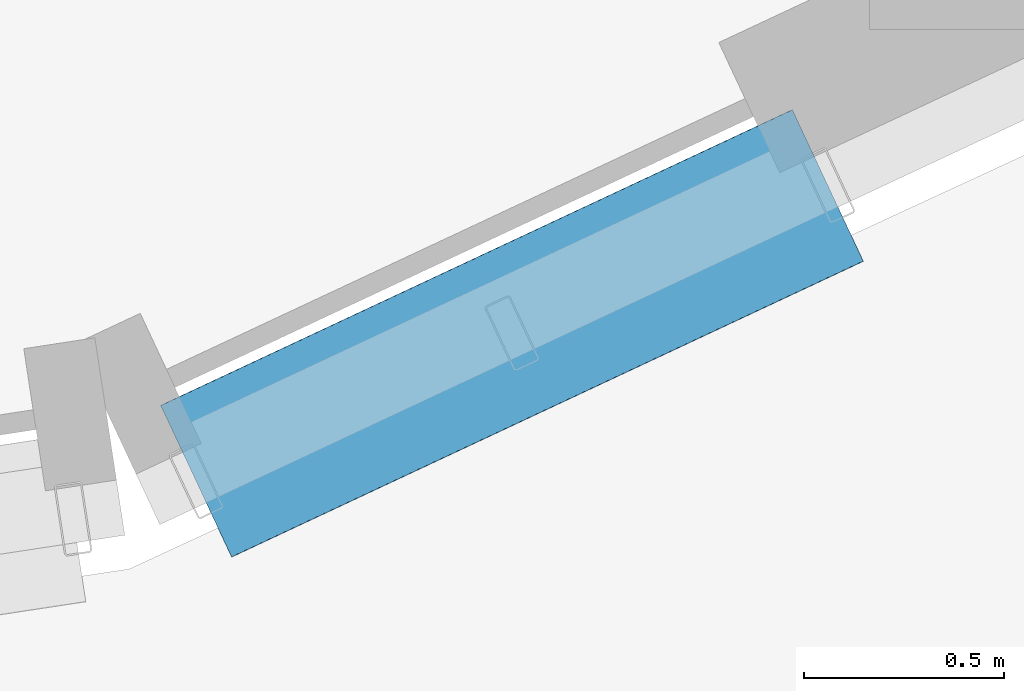
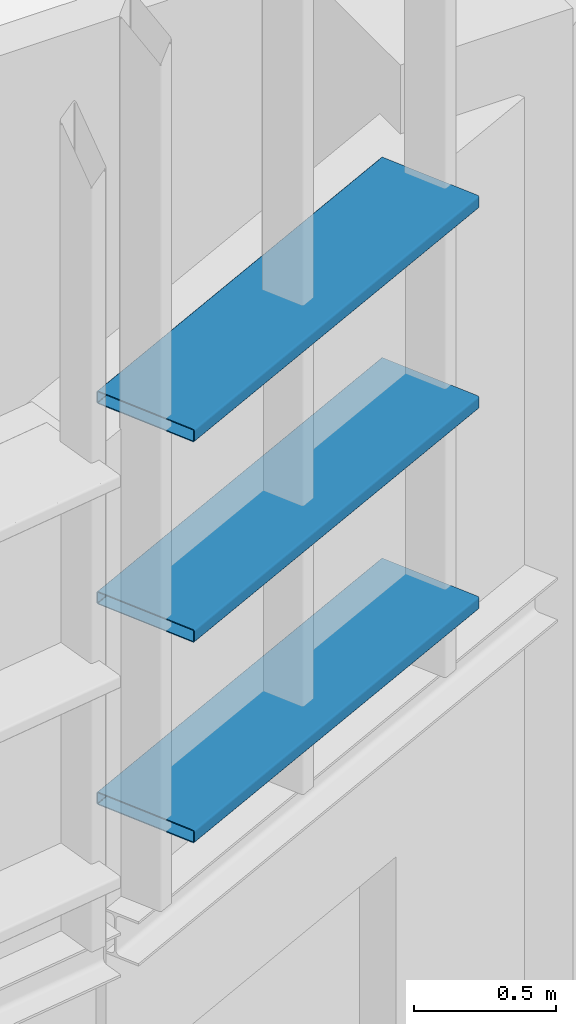
# One storey, part 149 of 372: 3 members.
"""IFC4 building model written with IfcOpenShell, lengths in metres."""

import ifcopenshell
import ifcopenshell.guid

model = None  # the IFC model being written
_history = None  # IfcOwnerHistory: only IFC2X3 demands one
_inside = {}  # id of a spatial element -> (the spatial element, [elements in it])
_under = {}  # id of a project, library or spatial element -> (it, [spatial elements below it])
_declared = {}  # id of a project -> (the project, [libraries it declares])
_typed = {}  # id of a type object -> (the type object, [elements of that type])
_made_of = {}  # id of a material, layer set ... -> (it, [elements and type objects made of it])


def new_model(schema):
    """Start an empty IFC model of exactly this schema.

    Asked for "IFC4X3", IfcOpenShell would pick the latest addendum, in which some entities
    have other attributes; the version numbers below select the first issue.
    IFC2X3 requires an IfcOwnerHistory on every rooted entity: one is made here for all.
    """
    global model, _history
    if schema == "IFC4X3":
        model = ifcopenshell.file(schema_version=(4, 3, 0, 0))
    else:
        model = ifcopenshell.file(schema=schema)
    _inside.clear()
    _under.clear()
    _declared.clear()
    _typed.clear()
    _made_of.clear()
    _history = None
    if model.schema == "IFC2X3":
        org = make("IfcOrganization", Name="unknown")
        user = make(
            "IfcPersonAndOrganization",
            ThePerson=make("IfcPerson", FamilyName="unknown"),
            TheOrganization=org,
        )
        app = make(
            "IfcApplication",
            ApplicationDeveloper=org,
            Version="unknown",
            ApplicationFullName="unknown",
            ApplicationIdentifier="unknown",
        )
        _history = make(
            "IfcOwnerHistory",
            OwningUser=user,
            OwningApplication=app,
            ChangeAction="ADDED",
            CreationDate=0,
        )
    return model


def make(cls, **values):
    """One entity of the class cls with the attributes given. An attribute that is None is left unset."""
    return model.create_entity(
        cls, **{name: value for name, value in values.items() if value is not None}
    )


def rooted(cls, **values):
    """An entity with a GlobalId (a new one), such as an element, a storey or a relation."""
    return make(cls, GlobalId=ifcopenshell.guid.new(), OwnerHistory=_history, **values)


def si_unit(unit_type, name, prefix=None):
    """IfcSIUnit, for example si_unit("LENGTHUNIT", "METRE", prefix="MILLI")."""
    return make("IfcSIUnit", UnitType=unit_type, Prefix=prefix, Name=name)


def assignment(units):
    """IfcUnitAssignment: the units of a project."""
    return None if units is None else make("IfcUnitAssignment", Units=units)


def point(xyz):
    """IfcCartesianPoint."""
    return None if xyz is None else make("IfcCartesianPoint", Coordinates=xyz)


def direction(xyz):
    """IfcDirection."""
    return None if xyz is None else make("IfcDirection", DirectionRatios=xyz)


def frame(location, z_axis=None, x_axis=None):
    """IfcAxis2Placement3D, a coordinate frame: its origin and axes. An axis left out is left unset."""
    return make(
        "IfcAxis2Placement3D",
        Location=point(location),
        Axis=direction(z_axis),
        RefDirection=direction(x_axis),
    )


def frame_2d(location, x_axis=None):
    """IfcAxis2Placement2D, a coordinate frame in the plane: its origin and x axis."""
    return make(
        "IfcAxis2Placement2D", Location=point(location), RefDirection=direction(x_axis)
    )


def origin():
    """The frame at (0, 0, 0) with its axes left unset."""
    return frame((0.0, 0.0, 0.0))


def origin_2d():
    """The frame at (0, 0) in the plane with its x axis left unset."""
    return frame_2d((0.0, 0.0))


def place(relative_to, where):
    """IfcLocalPlacement: puts the frame where relative to a parent placement (None: the world)."""
    return make(
        "IfcLocalPlacement", PlacementRelTo=relative_to, RelativePlacement=where
    )


def context(
    kind, dimensions, precision=None, world=None, true_north=None, identifier=None
):
    """IfcGeometricRepresentationContext, for example the 3D "Model" context."""
    return make(
        "IfcGeometricRepresentationContext",
        ContextIdentifier=identifier,
        ContextType=kind,
        CoordinateSpaceDimension=dimensions,
        Precision=precision,
        WorldCoordinateSystem=world,
        TrueNorth=true_north,
    )


def subcontext(parent, identifier, kind, view, scale=None):
    """IfcGeometricRepresentationSubContext, for example "Body" below "Model"."""
    return make(
        "IfcGeometricRepresentationSubContext",
        ContextIdentifier=identifier,
        ContextType=kind,
        ParentContext=parent,
        TargetScale=scale,
        TargetView=view,
    )


def project(units=None, contexts=None):
    """IfcProject with its units and contexts."""
    return rooted(
        "IfcProject",
        Name="project",
        RepresentationContexts=contexts,
        UnitsInContext=assignment(units),
    )


def spatial(cls, under=None, at=None, **own):
    """A site, building, storey or space (cls), placed at a placement, below another one or the project."""
    s = rooted(cls, ObjectPlacement=at, **own)
    if under is not None:
        _under.setdefault(under.id(), (under, []))[1].append(s)
    return s


def profile(cls, at=None, kind="AREA", **sizes):
    """A parametric profile (cls). Its sizes go by their IFC names, for example OverallWidth=200.0."""
    return make(cls, ProfileType=kind, Position=at, **sizes)


def hollow_rectangle(**sizes):
    """IfcRectangleHollowProfileDef."""
    return profile("IfcRectangleHollowProfileDef", **sizes)


def extrude(swept, where, along, depth):
    """IfcExtrudedAreaSolid: the profile swept, set in the frame where, extruded along a direction by depth."""
    return make(
        "IfcExtrudedAreaSolid",
        SweptArea=swept,
        Position=where,
        ExtrudedDirection=direction(along),
        Depth=depth,
    )


def shape(context_of_items, identifier, shape_type, items):
    """IfcShapeRepresentation: the items that make up one representation, for example the "Body"."""
    return make(
        "IfcShapeRepresentation",
        ContextOfItems=context_of_items,
        RepresentationIdentifier=identifier,
        RepresentationType=shape_type,
        Items=items,
    )


def material(Name=None, Category=None):
    """IfcMaterial."""
    return make("IfcMaterial", Name=Name, Category=Category)


def material_profile(
    of_material, cross_section, Name=None, Category=None, Priority=None
):
    """IfcMaterialProfile: a cross section and its material."""
    return make(
        "IfcMaterialProfile",
        Name=Name,
        Material=of_material,
        Profile=cross_section,
        Priority=Priority,
        Category=Category,
    )


def profile_set(profiles, Name=None, composite=None):
    """IfcMaterialProfileSet."""
    return make(
        "IfcMaterialProfileSet",
        Name=Name,
        MaterialProfiles=profiles,
        CompositeProfile=composite,
    )


def made_of(thing, what):
    """Note that an element or type object is made of a material, layer set ...; save() writes the relation."""
    if what is not None:
        _made_of.setdefault(what.id(), (what, []))[1].append(thing)
    return thing


def type_object(cls, material=None, **own):
    """A type object (cls), such as IfcWallType, which elements share."""
    return made_of(rooted(cls, **own), material)


def element(
    cls,
    number,
    at=None,
    inside=None,
    cuts=None,
    type_object=None,
    material=None,
    context=None,
    identifier="Body",
    shape_type=None,
    held_by="IfcProductDefinitionShape",
    body=None,
    shapes=None,
    **own,
):
    """One element of the class cls, such as IfcWall. Its Tag is "e" and its number.

    at: its placement. inside: the storey or other place that contains it. cuts: it is an
    opening in that element (IfcRelVoidsElement). A single representation is given by context,
    identifier, shape_type and body (its items); several are given by shapes. held_by: the class
    of the entity that holds the representations. save() writes the other relations.
    """
    e = rooted(cls, Tag="e%d" % number, ObjectPlacement=at, **own)
    if body is not None:
        shapes = [shape(context, identifier, shape_type, body)]
    if shapes is not None:
        e.Representation = make(held_by, Representations=shapes)
    if inside is not None:
        _inside.setdefault(inside.id(), (inside, []))[1].append(e)
    if cuts is not None:
        rooted(
            "IfcRelVoidsElement", RelatingBuildingElement=cuts, RelatedOpeningElement=e
        )
    if type_object is not None:
        _typed.setdefault(type_object.id(), (type_object, []))[1].append(e)
    return made_of(e, material)


def aggregate(whole, parts):
    """IfcRelAggregates: a whole, such as a stair, and the parts it consists of."""
    return rooted("IfcRelAggregates", RelatingObject=whole, RelatedObjects=parts)


def save(model, path):
    """Write the relations noted so far, then the file.

    IfcRelAggregates (storeys below a building ...), IfcRelContainedInSpatialStructure (elements
    in a storey), IfcRelDefinesByType, IfcRelAssociatesMaterial and IfcRelDeclares: one each for
    every whole, place, type object, material and project.
    """
    for whole, parts in _under.values():
        aggregate(whole, parts)
    for where, things in _inside.values():
        rooted(
            "IfcRelContainedInSpatialStructure",
            RelatedElements=things,
            RelatingStructure=where,
        )
    for kind, things in _typed.values():
        rooted("IfcRelDefinesByType", RelatedObjects=things, RelatingType=kind)
    for what, things in _made_of.values():
        rooted("IfcRelAssociatesMaterial", RelatedObjects=things, RelatingMaterial=what)
    for by, libraries in _declared.values():
        rooted("IfcRelDeclares", RelatingContext=by, RelatedDefinitions=libraries)
    model.write(path)


model = new_model("IFC4")

# Units and contexts
model_context = context("Model", 3, precision=1e-05, world=origin(), true_north=direction((0.0, 1.0)))
body_context = subcontext(model_context, "Body", "Model", "MODEL_VIEW")
ifc_project = project(units=[si_unit("LENGTHUNIT", "METRE"), si_unit("AREAUNIT", "SQUARE_METRE"), si_unit("VOLUMEUNIT", "CUBIC_METRE"), si_unit("PLANEANGLEUNIT", "RADIAN"), si_unit("MASSUNIT", "GRAM", prefix="KILO")], contexts=[model_context])

# Site, building, storey
site_placement = place(None, origin())
site = spatial("IfcSite", under=ifc_project, at=site_placement, CompositionType="ELEMENT")
building_placement = place(site_placement, origin())
building = spatial("IfcBuilding", under=site, at=building_placement, Name="Kaelora Sail Theatre", CompositionType="ELEMENT")
storey_placement = place(building_placement, origin())
storey = spatial("IfcBuildingStorey", under=building, at=storey_placement, Name="L00", CompositionType="ELEMENT", Elevation=0.0)

# Members
ifc_material = material(Name="Anodised aluminium 6063-T6", Category="aluminium")
ifc_material_profile = material_profile(ifc_material, hollow_rectangle(XDim=0.419921875, YDim=0.054931640625, WallThickness=0.00390625, InnerFilletRadius=0.00390625, OuterFilletRadius=0.008056640625, at=origin_2d()), Name="LOUVRE 420x55x4")
ifc_profile_set = profile_set([ifc_material_profile], Name="Anodised aluminium 6063-T6")
member_type = type_object("IfcMemberType", Name="ARC-MEM-LVR-420", PredefinedType="USERDEFINED", material=ifc_profile_set)
for number, where, z_axis, x_axis, name in (
    (1, (94.815185546875, 32.186279296875, 3.449951171875), (-0.905643423999, -0.424040078963, 0.0), (0.424040078963, -0.905643423999, 0.0), "Studio Theatre Sail Drum horizontal solar louvre C9-01"),
    (2, (94.815185546875, 32.186279296875, 4.31005859375), (-0.905643423999, -0.424040078963, 0.0), (0.424040078963, -0.905643423999, 0.0), "Studio Theatre Sail Drum horizontal solar louvre C9-02"),
    (3, (94.815185546875, 32.186279296875, 5.169921875), (-0.905643423999, -0.424040078963, 0.0), (0.424040078963, -0.905643423999, 0.0), "Studio Theatre Sail Drum horizontal solar louvre C9-03"),
):
    element("IfcMember", number, at=place(storey_placement, frame(where, z_axis=z_axis, x_axis=x_axis)), inside=storey, type_object=member_type, Name=name, ObjectType="LOUVRE", PredefinedType="USERDEFINED", context=body_context, shape_type="SweptSolid", body=[
        extrude(hollow_rectangle(XDim=0.419921875, YDim=0.054931640625, WallThickness=0.00390625, InnerFilletRadius=0.00390625, OuterFilletRadius=0.008056640625, at=origin_2d()), origin(), (0.0, 0.0, 1.0), 1.747314453125),
    ])

save(model, "model.ifc")
